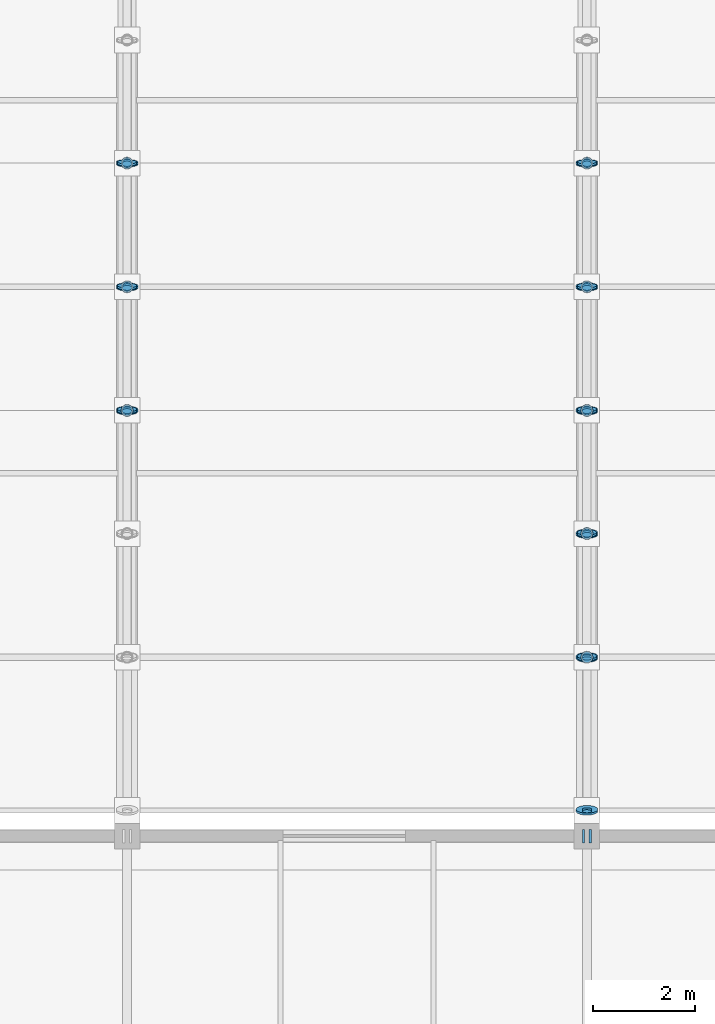
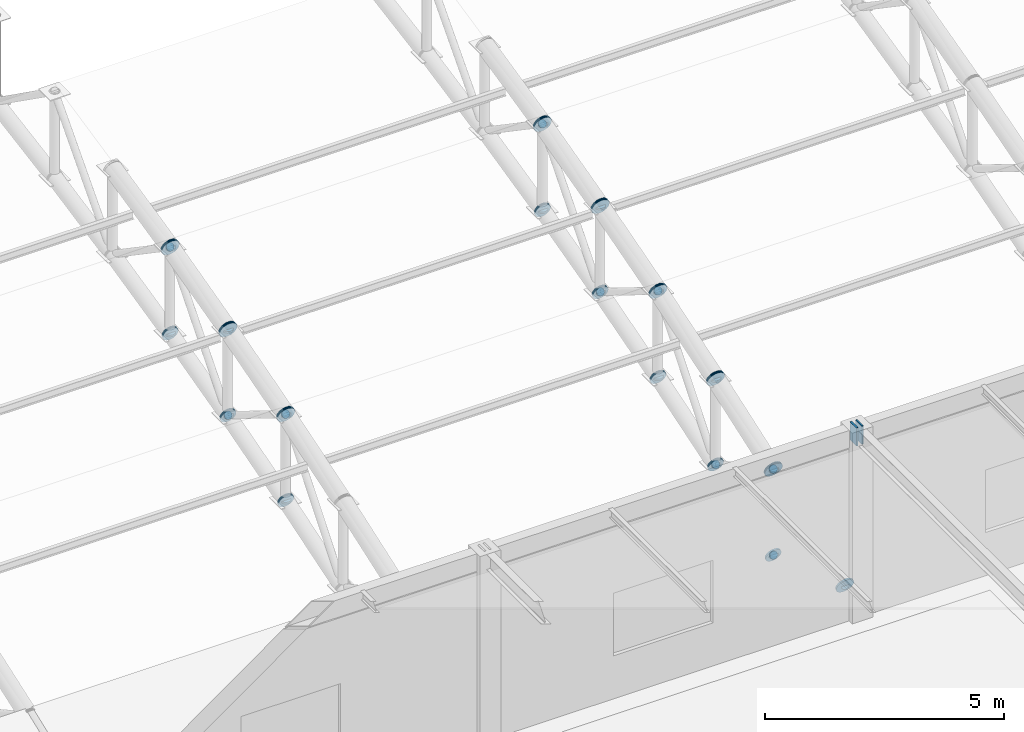
# One storey, part 148 of 195: 67 discrete accessories.
"""IFC4 building model written with IfcOpenShell, lengths in metres."""

from ifc_helpers import new_model, si_unit, direction, frame, origin, origin_2d, place, context, subcontext, project, spatial, rectangle, circle, extrude, material, element, save


model = new_model("IFC4")

# Units and contexts
model_context = context("Model", 3, precision=1e-05, world=origin(), true_north=direction((0.0, 1.0)))
body_context = subcontext(model_context, "Body", "Model", "MODEL_VIEW")
ifc_project = project(units=[si_unit("LENGTHUNIT", "METRE"), si_unit("AREAUNIT", "SQUARE_METRE"), si_unit("VOLUMEUNIT", "CUBIC_METRE"), si_unit("PLANEANGLEUNIT", "RADIAN"), si_unit("MASSUNIT", "GRAM", prefix="KILO")], contexts=[model_context])

# Site, building, storey
site_placement = place(None, origin())
site = spatial("IfcSite", under=ifc_project, at=site_placement, CompositionType="ELEMENT")
building_placement = place(site_placement, origin())
building = spatial("IfcBuilding", under=site, at=building_placement, Name="Marlcrest Central Station", CompositionType="ELEMENT")
storey_placement = place(building_placement, frame((0.0, 0.0, 9.800048828125)))
storey = spatial("IfcBuildingStorey", under=building, at=storey_placement, Name="L02", CompositionType="ELEMENT", Elevation=9.800048828125)

# Discrete accessories
ifc_material = material(Name="Steel S355", Category="steel")
for number, where, z_axis, x_axis, name in (
    (1, (188.9150390625, 33.0, 4.64501953125), (1.0, 0.0, 0.0), (0.0, 1.0, 0.0), "endcap-bm-SP-02-L02-00976-e"),
    (2, (189.045166015625, 33.0, 4.64501953125), (1.0, 0.0, 0.0), (0.0, 1.0, 0.0), "endcap-bm-SP-02-L02-00977-s"),
):
    element("IfcDiscreteAccessory", number, at=place(storey_placement, frame(where, z_axis=z_axis, x_axis=x_axis)), inside=storey, material=ifc_material, Name=name, ObjectType="END_CAP_PLATE", PredefinedType="BRACKET", context=body_context, shape_type="SweptSolid", body=[
        extrude(rectangle(XDim=0.26611328125, YDim=0.466064453125, at=origin_2d()), origin(), (0.0, 0.0, 1.0), 0.0400390625),
    ])
discrete_accessory_1_placement = place(storey_placement, frame((180.0, 41.306396484375, 3.2158203125), z_axis=(0.0, 0.952116828449, 0.305734435391), x_axis=(-1.0, 0.0, 0.0)))
element("IfcDiscreteAccessory", 3, at=discrete_accessory_1_placement, inside=storey, material=ifc_material, Name="endcap-mem-AC-01-L02-01560-e", ObjectType="END_CAP_PLATE", PredefinedType="BRACKET", context=body_context, shape_type="SweptSolid", body=[
    extrude(circle(Radius=0.211181640625, at=origin_2d()), origin(), (0.0, 0.0, 1.0), 0.0400390625),
])
discrete_accessory_2_placement = place(storey_placement, frame((180.0, 41.306396484375, 1.015869140625), z_axis=(0.0, 0.952116828449, 0.305734435391), x_axis=(-1.0, 0.0, 0.0)))
element("IfcDiscreteAccessory", 4, at=discrete_accessory_2_placement, inside=storey, material=ifc_material, Name="endcap-mem-AC-02-L02-01561-e", ObjectType="END_CAP_PLATE", PredefinedType="BRACKET", context=body_context, shape_type="SweptSolid", body=[
    extrude(circle(Radius=0.185791015625, at=origin_2d()), origin(), (0.0, 0.0, 1.0), 0.0400390625),
])
discrete_accessory_3_placement = place(storey_placement, frame((180.0, 41.314453125, 3.203857421875), z_axis=(0.0, 0.62962929743, 0.776895712318), x_axis=(-1.0, 0.0, 0.0)))
element("IfcDiscreteAccessory", 5, at=discrete_accessory_3_placement, inside=storey, material=ifc_material, Name="endcap-mem-AD-01-L02-01563-e", ObjectType="END_CAP_PLATE", PredefinedType="BRACKET", context=body_context, shape_type="SweptSolid", body=[
    extrude(circle(Radius=0.092041015625, at=origin_2d()), origin(), (0.0, 0.0, 1.0), 0.0400390625),
])
for number, where, z_axis, x_axis, name in (
    (6, (180.0, 41.315673828125, 3.21923828125), (0.0, 0.960130083362, 0.27955361386), (-1.0, 0.0, 0.0), "endcap-mem-AC-01-L02-01564-s"),
    (7, (180.0, 43.72607421875, 3.9208984375), (0.0, 0.960130083362, 0.27955361386), (-1.0, 0.0, 0.0), "endcap-mem-AC-01-L02-01564-e"),
):
    element("IfcDiscreteAccessory", number, at=place(storey_placement, frame(where, z_axis=z_axis, x_axis=x_axis)), inside=storey, material=ifc_material, Name=name, ObjectType="END_CAP_PLATE", PredefinedType="BRACKET", context=body_context, shape_type="SweptSolid", body=[
        extrude(circle(Radius=0.211181640625, at=origin_2d()), origin(), (0.0, 0.0, 1.0), 0.0400390625),
    ])
for number, where, z_axis, x_axis, name in (
    (8, (180.0, 41.315673828125, 1.019287109375), (0.0, 0.960130083362, 0.27955361386), (-1.0, 0.0, 0.0), "endcap-mem-AC-02-L02-01565-s"),
    (9, (180.0, 43.72607421875, 1.720947265625), (0.0, 0.960130083362, 0.27955361386), (-1.0, 0.0, 0.0), "endcap-mem-AC-02-L02-01565-e"),
):
    element("IfcDiscreteAccessory", number, at=place(storey_placement, frame(where, z_axis=z_axis, x_axis=x_axis)), inside=storey, material=ifc_material, Name=name, ObjectType="END_CAP_PLATE", PredefinedType="BRACKET", context=body_context, shape_type="SweptSolid", body=[
        extrude(circle(Radius=0.185791015625, at=origin_2d()), origin(), (0.0, 0.0, 1.0), 0.0400390625),
    ])
for number, where, z_axis, x_axis, name in (
    (10, (180.0, 41.330078125, 1.008544921875), (0.0, 0.0, 1.0), (1.0, 0.0, 0.0), "endcap-mem-AP-01-L02-01566-s"),
    (11, (180.0, 41.330078125, 3.198486328125), (0.0, 0.0, 1.0), (1.0, 0.0, 0.0), "endcap-mem-AP-01-L02-01566-e"),
):
    element("IfcDiscreteAccessory", number, at=place(storey_placement, frame(where, z_axis=z_axis, x_axis=x_axis)), inside=storey, material=ifc_material, Name=name, ObjectType="END_CAP_PLATE", PredefinedType="BRACKET", context=body_context, shape_type="SweptSolid", body=[
        extrude(circle(Radius=0.117431640625, at=origin_2d()), origin(), (0.0, 0.0, 1.0), 0.0400390625),
    ])
for number, where, z_axis, x_axis, name in (
    (12, (180.0, 41.3173828125, 3.231201171875), (0.0, 0.850687380038, -0.525671933286), (-1.0, 0.0, 0.0), "endcap-mem-AD-01-L02-01567-s"),
    (13, (180.0, 43.728759765625, 1.7412109375), (0.0, 0.850687380038, -0.525671933286), (-1.0, 0.0, 0.0), "endcap-mem-AD-01-L02-01567-e"),
):
    element("IfcDiscreteAccessory", number, at=place(storey_placement, frame(where, z_axis=z_axis, x_axis=x_axis)), inside=storey, material=ifc_material, Name=name, ObjectType="END_CAP_PLATE", PredefinedType="BRACKET", context=body_context, shape_type="SweptSolid", body=[
        extrude(circle(Radius=0.092041015625, at=origin_2d()), origin(), (0.0, 0.0, 1.0), 0.0400390625),
    ])
for number, where, z_axis, x_axis, name in (
    (14, (180.0, 43.735595703125, 3.924072265625), (0.0, 0.967539481681, 0.252719906989), (-1.0, 0.0, 0.0), "endcap-mem-AC-01-L02-01568-s"),
    (15, (180.0, 46.145751953125, 4.5537109375), (0.0, 0.967539481681, 0.252719906989), (-1.0, 0.0, 0.0), "endcap-mem-AC-01-L02-01568-e"),
):
    element("IfcDiscreteAccessory", number, at=place(storey_placement, frame(where, z_axis=z_axis, x_axis=x_axis)), inside=storey, material=ifc_material, Name=name, ObjectType="END_CAP_PLATE", PredefinedType="BRACKET", context=body_context, shape_type="SweptSolid", body=[
        extrude(circle(Radius=0.211181640625, at=origin_2d()), origin(), (0.0, 0.0, 1.0), 0.0400390625),
    ])
for number, where, z_axis, x_axis, name in (
    (16, (180.0, 43.735595703125, 1.72412109375), (0.0, 0.967563345928, 0.252628524946), (-1.0, 0.0, 0.0), "endcap-mem-AC-02-L02-01569-s"),
    (17, (180.0, 46.145751953125, 2.353515625), (0.0, 0.967563345928, 0.252628524946), (-1.0, 0.0, 0.0), "endcap-mem-AC-02-L02-01569-e"),
):
    element("IfcDiscreteAccessory", number, at=place(storey_placement, frame(where, z_axis=z_axis, x_axis=x_axis)), inside=storey, material=ifc_material, Name=name, ObjectType="END_CAP_PLATE", PredefinedType="BRACKET", context=body_context, shape_type="SweptSolid", body=[
        extrude(circle(Radius=0.185791015625, at=origin_2d()), origin(), (0.0, 0.0, 1.0), 0.0400390625),
    ])
for number, where, z_axis, x_axis, name in (
    (18, (180.0, 43.75, 1.713134765625), (0.0, 0.0, 1.0), (1.0, 0.0, 0.0), "endcap-mem-AP-01-L02-01570-s"),
    (19, (180.0, 43.75, 3.903076171875), (0.0, 0.0, 1.0), (1.0, 0.0, 0.0), "endcap-mem-AP-01-L02-01570-e"),
):
    element("IfcDiscreteAccessory", number, at=place(storey_placement, frame(where, z_axis=z_axis, x_axis=x_axis)), inside=storey, material=ifc_material, Name=name, ObjectType="END_CAP_PLATE", PredefinedType="BRACKET", context=body_context, shape_type="SweptSolid", body=[
        extrude(circle(Radius=0.117431640625, at=origin_2d()), origin(), (0.0, 0.0, 1.0), 0.0400390625),
    ])
for number, where, z_axis, x_axis, name in (
    (20, (180.0, 43.740234375, 1.716552734375), (0.0, 0.649624779144, 0.760254987699), (-1.0, 0.0, 0.0), "endcap-mem-AD-01-L02-01571-s"),
    (21, (180.0, 46.153564453125, 4.541015625), (0.0, 0.649624779144, 0.760254987699), (-1.0, 0.0, 0.0), "endcap-mem-AD-01-L02-01571-e"),
):
    element("IfcDiscreteAccessory", number, at=place(storey_placement, frame(where, z_axis=z_axis, x_axis=x_axis)), inside=storey, material=ifc_material, Name=name, ObjectType="END_CAP_PLATE", PredefinedType="BRACKET", context=body_context, shape_type="SweptSolid", body=[
        extrude(circle(Radius=0.092041015625, at=origin_2d()), origin(), (0.0, 0.0, 1.0), 0.0400390625),
    ])
discrete_accessory_4_placement = place(storey_placement, frame((180.0, 46.1552734375, 4.556640625), z_axis=(0.0, 0.974329612642, 0.225126200004), x_axis=(-1.0, 0.0, 0.0)))
element("IfcDiscreteAccessory", 22, at=discrete_accessory_4_placement, inside=storey, material=ifc_material, Name="endcap-mem-AC-01-L02-01572-s", ObjectType="END_CAP_PLATE", PredefinedType="BRACKET", context=body_context, shape_type="SweptSolid", body=[
    extrude(circle(Radius=0.211181640625, at=origin_2d()), origin(), (0.0, 0.0, 1.0), 0.0400390625),
])
discrete_accessory_5_placement = place(storey_placement, frame((180.0, 46.1552734375, 2.3564453125), z_axis=(0.0, 0.974307959875, 0.225219891049), x_axis=(-1.0, 0.0, 0.0)))
element("IfcDiscreteAccessory", 23, at=discrete_accessory_5_placement, inside=storey, material=ifc_material, Name="endcap-mem-AC-02-L02-01573-s", ObjectType="END_CAP_PLATE", PredefinedType="BRACKET", context=body_context, shape_type="SweptSolid", body=[
    extrude(circle(Radius=0.185791015625, at=origin_2d()), origin(), (0.0, 0.0, 1.0), 0.0400390625),
])
for number, where, z_axis, x_axis, name in (
    (24, (180.0, 46.169921875, 2.344970703125), (0.0, 0.0, 1.0), (1.0, 0.0, 0.0), "endcap-mem-AP-01-L02-01574-s"),
    (25, (180.0, 46.169921875, 4.53515625), (0.0, 0.0, 1.0), (1.0, 0.0, 0.0), "endcap-mem-AP-01-L02-01574-e"),
):
    element("IfcDiscreteAccessory", number, at=place(storey_placement, frame(where, z_axis=z_axis, x_axis=x_axis)), inside=storey, material=ifc_material, Name=name, ObjectType="END_CAP_PLATE", PredefinedType="BRACKET", context=body_context, shape_type="SweptSolid", body=[
        extrude(circle(Radius=0.117431640625, at=origin_2d()), origin(), (0.0, 0.0, 1.0), 0.0400390625),
    ])
discrete_accessory_6_placement = place(storey_placement, frame((180.0, 46.157470703125, 4.568603515625), z_axis=(0.0, 0.82626275624, -0.563284881432), x_axis=(-1.0, 0.0, 0.0)))
element("IfcDiscreteAccessory", 26, at=discrete_accessory_6_placement, inside=storey, material=ifc_material, Name="endcap-mem-AD-01-L02-01575-s", ObjectType="END_CAP_PLATE", PredefinedType="BRACKET", context=body_context, shape_type="SweptSolid", body=[
    extrude(circle(Radius=0.092041015625, at=origin_2d()), origin(), (0.0, 0.0, 1.0), 0.0400390625),
])
for number, where, z_axis, x_axis, name in (
    (27, (189.0, 33.486083984375, 0.4404296875), (0.0, 0.933324071143, 0.359035065453), (-1.0, 0.0, 0.0), "endcap-mem-AC-01-L02-01670-s"),
    (28, (189.0, 36.4765625, 1.5908203125), (0.0, 0.933324071143, 0.359035065453), (-1.0, 0.0, 0.0), "endcap-mem-AC-01-L02-01670-e"),
):
    element("IfcDiscreteAccessory", number, at=place(storey_placement, frame(where, z_axis=z_axis, x_axis=x_axis)), inside=storey, material=ifc_material, Name=name, ObjectType="END_CAP_PLATE", PredefinedType="BRACKET", context=body_context, shape_type="SweptSolid", body=[
        extrude(circle(Radius=0.211181640625, at=origin_2d()), origin(), (0.0, 0.0, 1.0), 0.0400390625),
    ])
for number, where, z_axis, x_axis, name in (
    (29, (189.0, 36.51416015625, -0.60498046875), (0.0, -0.944260188635, 0.329200085296), (1.0, 0.0, 0.0), "endcap-mem-AD-01-L02-01671-s"),
    (30, (189.0, 33.523681640625, 0.4375), (0.0, -0.944260188635, 0.329200085296), (1.0, 0.0, 0.0), "endcap-mem-AD-01-L02-01671-e"),
):
    element("IfcDiscreteAccessory", number, at=place(storey_placement, frame(where, z_axis=z_axis, x_axis=x_axis)), inside=storey, material=ifc_material, Name=name, ObjectType="END_CAP_PLATE", PredefinedType="BRACKET", context=body_context, shape_type="SweptSolid", body=[
        extrude(circle(Radius=0.092041015625, at=origin_2d()), origin(), (0.0, 0.0, 1.0), 0.0400390625),
    ])
for number, where, z_axis, x_axis, name in (
    (31, (189.0, 36.48583984375, 1.594970703125), (0.0, 0.94353735649, 0.331266142109), (-1.0, 0.0, 0.0), "endcap-mem-AC-01-L02-01672-s"),
    (32, (189.0, 38.896240234375, 2.441162109375), (0.0, 0.94353735649, 0.331266142109), (-1.0, 0.0, 0.0), "endcap-mem-AC-01-L02-01672-e"),
):
    element("IfcDiscreteAccessory", number, at=place(storey_placement, frame(where, z_axis=z_axis, x_axis=x_axis)), inside=storey, material=ifc_material, Name=name, ObjectType="END_CAP_PLATE", PredefinedType="BRACKET", context=body_context, shape_type="SweptSolid", body=[
        extrude(circle(Radius=0.211181640625, at=origin_2d()), origin(), (0.0, 0.0, 1.0), 0.0400390625),
    ])
for number, where, z_axis, x_axis, name in (
    (33, (189.0, 36.48583984375, -0.60498046875), (0.0, 0.94353735649, 0.331266142109), (-1.0, 0.0, 0.0), "endcap-mem-AC-02-L02-01673-s"),
    (34, (189.0, 38.896240234375, 0.2412109375), (0.0, 0.94353735649, 0.331266142109), (-1.0, 0.0, 0.0), "endcap-mem-AC-02-L02-01673-e"),
):
    element("IfcDiscreteAccessory", number, at=place(storey_placement, frame(where, z_axis=z_axis, x_axis=x_axis)), inside=storey, material=ifc_material, Name=name, ObjectType="END_CAP_PLATE", PredefinedType="BRACKET", context=body_context, shape_type="SweptSolid", body=[
        extrude(circle(Radius=0.185791015625, at=origin_2d()), origin(), (0.0, 0.0, 1.0), 0.0400390625),
    ])
for number, where, z_axis, x_axis, name in (
    (35, (189.0, 36.5, -0.614990234375), (0.0, 0.0, 1.0), (1.0, 0.0, 0.0), "endcap-mem-AP-01-L02-01674-s"),
    (36, (189.0, 36.5, 1.574951171875), (0.0, 0.0, 1.0), (1.0, 0.0, 0.0), "endcap-mem-AP-01-L02-01674-e"),
):
    element("IfcDiscreteAccessory", number, at=place(storey_placement, frame(where, z_axis=z_axis, x_axis=x_axis)), inside=storey, material=ifc_material, Name=name, ObjectType="END_CAP_PLATE", PredefinedType="BRACKET", context=body_context, shape_type="SweptSolid", body=[
        extrude(circle(Radius=0.117431640625, at=origin_2d()), origin(), (0.0, 0.0, 1.0), 0.0400390625),
    ])
for number, where, z_axis, x_axis, name in (
    (37, (189.0, 36.48681640625, 1.607177734375), (0.0, 0.873245653167, -0.487280236851), (-1.0, 0.0, 0.0), "endcap-mem-AD-01-L02-01675-s"),
    (38, (189.0, 38.898193359375, 0.26171875), (0.0, 0.873245653167, -0.487280236851), (-1.0, 0.0, 0.0), "endcap-mem-AD-01-L02-01675-e"),
):
    element("IfcDiscreteAccessory", number, at=place(storey_placement, frame(where, z_axis=z_axis, x_axis=x_axis)), inside=storey, material=ifc_material, Name=name, ObjectType="END_CAP_PLATE", PredefinedType="BRACKET", context=body_context, shape_type="SweptSolid", body=[
        extrude(circle(Radius=0.092041015625, at=origin_2d()), origin(), (0.0, 0.0, 1.0), 0.0400390625),
    ])
for number, where, z_axis, x_axis, name in (
    (39, (189.0, 38.90576171875, 2.44482421875), (0.0, 0.952116828449, 0.305734435391), (-1.0, 0.0, 0.0), "endcap-mem-AC-01-L02-01676-s"),
    (40, (189.0, 41.306396484375, 3.2158203125), (0.0, 0.952116828449, 0.305734435391), (-1.0, 0.0, 0.0), "endcap-mem-AC-01-L02-01676-e"),
):
    element("IfcDiscreteAccessory", number, at=place(storey_placement, frame(where, z_axis=z_axis, x_axis=x_axis)), inside=storey, material=ifc_material, Name=name, ObjectType="END_CAP_PLATE", PredefinedType="BRACKET", context=body_context, shape_type="SweptSolid", body=[
        extrude(circle(Radius=0.211181640625, at=origin_2d()), origin(), (0.0, 0.0, 1.0), 0.0400390625),
    ])
for number, where, z_axis, x_axis, name in (
    (41, (189.0, 38.90576171875, 0.244873046875), (0.0, 0.952116828449, 0.305734435391), (-1.0, 0.0, 0.0), "endcap-mem-AC-02-L02-01677-s"),
    (42, (189.0, 41.306396484375, 1.015869140625), (0.0, 0.952116828449, 0.305734435391), (-1.0, 0.0, 0.0), "endcap-mem-AC-02-L02-01677-e"),
):
    element("IfcDiscreteAccessory", number, at=place(storey_placement, frame(where, z_axis=z_axis, x_axis=x_axis)), inside=storey, material=ifc_material, Name=name, ObjectType="END_CAP_PLATE", PredefinedType="BRACKET", context=body_context, shape_type="SweptSolid", body=[
        extrude(circle(Radius=0.185791015625, at=origin_2d()), origin(), (0.0, 0.0, 1.0), 0.0400390625),
    ])
for number, where, z_axis, x_axis, name in (
    (43, (189.0, 38.919921875, 0.234619140625), (0.0, 0.0, 1.0), (1.0, 0.0, 0.0), "endcap-mem-AP-01-L02-01678-s"),
    (44, (189.0, 38.919921875, 2.424560546875), (0.0, 0.0, 1.0), (1.0, 0.0, 0.0), "endcap-mem-AP-01-L02-01678-e"),
):
    element("IfcDiscreteAccessory", number, at=place(storey_placement, frame(where, z_axis=z_axis, x_axis=x_axis)), inside=storey, material=ifc_material, Name=name, ObjectType="END_CAP_PLATE", PredefinedType="BRACKET", context=body_context, shape_type="SweptSolid", body=[
        extrude(circle(Radius=0.117431640625, at=origin_2d()), origin(), (0.0, 0.0, 1.0), 0.0400390625),
    ])
for number, where, z_axis, x_axis, name in (
    (45, (189.0, 38.910400390625, 0.23779296875), (0.0, 0.62962929743, 0.776895712318), (-1.0, 0.0, 0.0), "endcap-mem-AD-01-L02-01679-s"),
    (46, (189.0, 41.314453125, 3.203857421875), (0.0, 0.62962929743, 0.776895712318), (-1.0, 0.0, 0.0), "endcap-mem-AD-01-L02-01679-e"),
):
    element("IfcDiscreteAccessory", number, at=place(storey_placement, frame(where, z_axis=z_axis, x_axis=x_axis)), inside=storey, material=ifc_material, Name=name, ObjectType="END_CAP_PLATE", PredefinedType="BRACKET", context=body_context, shape_type="SweptSolid", body=[
        extrude(circle(Radius=0.092041015625, at=origin_2d()), origin(), (0.0, 0.0, 1.0), 0.0400390625),
    ])
for number, where, z_axis, x_axis, name in (
    (47, (189.0, 41.315673828125, 3.21923828125), (0.0, 0.960130083362, 0.27955361386), (-1.0, 0.0, 0.0), "endcap-mem-AC-01-L02-01680-s"),
    (48, (189.0, 43.72607421875, 3.9208984375), (0.0, 0.960130083362, 0.27955361386), (-1.0, 0.0, 0.0), "endcap-mem-AC-01-L02-01680-e"),
):
    element("IfcDiscreteAccessory", number, at=place(storey_placement, frame(where, z_axis=z_axis, x_axis=x_axis)), inside=storey, material=ifc_material, Name=name, ObjectType="END_CAP_PLATE", PredefinedType="BRACKET", context=body_context, shape_type="SweptSolid", body=[
        extrude(circle(Radius=0.211181640625, at=origin_2d()), origin(), (0.0, 0.0, 1.0), 0.0400390625),
    ])
for number, where, z_axis, x_axis, name in (
    (49, (189.0, 41.315673828125, 1.019287109375), (0.0, 0.960130083362, 0.27955361386), (-1.0, 0.0, 0.0), "endcap-mem-AC-02-L02-01681-s"),
    (50, (189.0, 43.72607421875, 1.720947265625), (0.0, 0.960130083362, 0.27955361386), (-1.0, 0.0, 0.0), "endcap-mem-AC-02-L02-01681-e"),
):
    element("IfcDiscreteAccessory", number, at=place(storey_placement, frame(where, z_axis=z_axis, x_axis=x_axis)), inside=storey, material=ifc_material, Name=name, ObjectType="END_CAP_PLATE", PredefinedType="BRACKET", context=body_context, shape_type="SweptSolid", body=[
        extrude(circle(Radius=0.185791015625, at=origin_2d()), origin(), (0.0, 0.0, 1.0), 0.0400390625),
    ])
for number, where, z_axis, x_axis, name in (
    (51, (189.0, 41.330078125, 1.008544921875), (0.0, 0.0, 1.0), (1.0, 0.0, 0.0), "endcap-mem-AP-01-L02-01682-s"),
    (52, (189.0, 41.330078125, 3.198486328125), (0.0, 0.0, 1.0), (1.0, 0.0, 0.0), "endcap-mem-AP-01-L02-01682-e"),
):
    element("IfcDiscreteAccessory", number, at=place(storey_placement, frame(where, z_axis=z_axis, x_axis=x_axis)), inside=storey, material=ifc_material, Name=name, ObjectType="END_CAP_PLATE", PredefinedType="BRACKET", context=body_context, shape_type="SweptSolid", body=[
        extrude(circle(Radius=0.117431640625, at=origin_2d()), origin(), (0.0, 0.0, 1.0), 0.0400390625),
    ])
for number, where, z_axis, x_axis, name in (
    (53, (189.0, 41.3173828125, 3.231201171875), (0.0, 0.850687380038, -0.525671933286), (-1.0, 0.0, 0.0), "endcap-mem-AD-01-L02-01683-s"),
    (54, (189.0, 43.728759765625, 1.7412109375), (0.0, 0.850687380038, -0.525671933286), (-1.0, 0.0, 0.0), "endcap-mem-AD-01-L02-01683-e"),
):
    element("IfcDiscreteAccessory", number, at=place(storey_placement, frame(where, z_axis=z_axis, x_axis=x_axis)), inside=storey, material=ifc_material, Name=name, ObjectType="END_CAP_PLATE", PredefinedType="BRACKET", context=body_context, shape_type="SweptSolid", body=[
        extrude(circle(Radius=0.092041015625, at=origin_2d()), origin(), (0.0, 0.0, 1.0), 0.0400390625),
    ])
for number, where, z_axis, x_axis, name in (
    (55, (189.0, 43.735595703125, 3.924072265625), (0.0, 0.967539481681, 0.252719906989), (-1.0, 0.0, 0.0), "endcap-mem-AC-01-L02-01684-s"),
    (56, (189.0, 46.145751953125, 4.5537109375), (0.0, 0.967539481681, 0.252719906989), (-1.0, 0.0, 0.0), "endcap-mem-AC-01-L02-01684-e"),
):
    element("IfcDiscreteAccessory", number, at=place(storey_placement, frame(where, z_axis=z_axis, x_axis=x_axis)), inside=storey, material=ifc_material, Name=name, ObjectType="END_CAP_PLATE", PredefinedType="BRACKET", context=body_context, shape_type="SweptSolid", body=[
        extrude(circle(Radius=0.211181640625, at=origin_2d()), origin(), (0.0, 0.0, 1.0), 0.0400390625),
    ])
for number, where, z_axis, x_axis, name in (
    (57, (189.0, 43.735595703125, 1.72412109375), (0.0, 0.967563345928, 0.252628524946), (-1.0, 0.0, 0.0), "endcap-mem-AC-02-L02-01685-s"),
    (58, (189.0, 46.145751953125, 2.353515625), (0.0, 0.967563345928, 0.252628524946), (-1.0, 0.0, 0.0), "endcap-mem-AC-02-L02-01685-e"),
):
    element("IfcDiscreteAccessory", number, at=place(storey_placement, frame(where, z_axis=z_axis, x_axis=x_axis)), inside=storey, material=ifc_material, Name=name, ObjectType="END_CAP_PLATE", PredefinedType="BRACKET", context=body_context, shape_type="SweptSolid", body=[
        extrude(circle(Radius=0.185791015625, at=origin_2d()), origin(), (0.0, 0.0, 1.0), 0.0400390625),
    ])
for number, where, z_axis, x_axis, name in (
    (59, (189.0, 43.75, 1.713134765625), (0.0, 0.0, 1.0), (1.0, 0.0, 0.0), "endcap-mem-AP-01-L02-01686-s"),
    (60, (189.0, 43.75, 3.903076171875), (0.0, 0.0, 1.0), (1.0, 0.0, 0.0), "endcap-mem-AP-01-L02-01686-e"),
):
    element("IfcDiscreteAccessory", number, at=place(storey_placement, frame(where, z_axis=z_axis, x_axis=x_axis)), inside=storey, material=ifc_material, Name=name, ObjectType="END_CAP_PLATE", PredefinedType="BRACKET", context=body_context, shape_type="SweptSolid", body=[
        extrude(circle(Radius=0.117431640625, at=origin_2d()), origin(), (0.0, 0.0, 1.0), 0.0400390625),
    ])
for number, where, z_axis, x_axis, name in (
    (61, (189.0, 43.740234375, 1.716552734375), (0.0, 0.649624779144, 0.760254987699), (-1.0, 0.0, 0.0), "endcap-mem-AD-01-L02-01687-s"),
    (62, (189.0, 46.153564453125, 4.541015625), (0.0, 0.649624779144, 0.760254987699), (-1.0, 0.0, 0.0), "endcap-mem-AD-01-L02-01687-e"),
):
    element("IfcDiscreteAccessory", number, at=place(storey_placement, frame(where, z_axis=z_axis, x_axis=x_axis)), inside=storey, material=ifc_material, Name=name, ObjectType="END_CAP_PLATE", PredefinedType="BRACKET", context=body_context, shape_type="SweptSolid", body=[
        extrude(circle(Radius=0.092041015625, at=origin_2d()), origin(), (0.0, 0.0, 1.0), 0.0400390625),
    ])
discrete_accessory_7_placement = place(storey_placement, frame((189.0, 46.1552734375, 4.556640625), z_axis=(0.0, 0.974329612642, 0.225126200004), x_axis=(-1.0, 0.0, 0.0)))
element("IfcDiscreteAccessory", 63, at=discrete_accessory_7_placement, inside=storey, material=ifc_material, Name="endcap-mem-AC-01-L02-01688-s", ObjectType="END_CAP_PLATE", PredefinedType="BRACKET", context=body_context, shape_type="SweptSolid", body=[
    extrude(circle(Radius=0.211181640625, at=origin_2d()), origin(), (0.0, 0.0, 1.0), 0.0400390625),
])
discrete_accessory_8_placement = place(storey_placement, frame((189.0, 46.1552734375, 2.3564453125), z_axis=(0.0, 0.974307959875, 0.225219891049), x_axis=(-1.0, 0.0, 0.0)))
element("IfcDiscreteAccessory", 64, at=discrete_accessory_8_placement, inside=storey, material=ifc_material, Name="endcap-mem-AC-02-L02-01689-s", ObjectType="END_CAP_PLATE", PredefinedType="BRACKET", context=body_context, shape_type="SweptSolid", body=[
    extrude(circle(Radius=0.185791015625, at=origin_2d()), origin(), (0.0, 0.0, 1.0), 0.0400390625),
])
for number, where, z_axis, x_axis, name in (
    (65, (189.0, 46.169921875, 2.344970703125), (0.0, 0.0, 1.0), (1.0, 0.0, 0.0), "endcap-mem-AP-01-L02-01690-s"),
    (66, (189.0, 46.169921875, 4.53515625), (0.0, 0.0, 1.0), (1.0, 0.0, 0.0), "endcap-mem-AP-01-L02-01690-e"),
):
    element("IfcDiscreteAccessory", number, at=place(storey_placement, frame(where, z_axis=z_axis, x_axis=x_axis)), inside=storey, material=ifc_material, Name=name, ObjectType="END_CAP_PLATE", PredefinedType="BRACKET", context=body_context, shape_type="SweptSolid", body=[
        extrude(circle(Radius=0.117431640625, at=origin_2d()), origin(), (0.0, 0.0, 1.0), 0.0400390625),
    ])
discrete_accessory_9_placement = place(storey_placement, frame((189.0, 46.157470703125, 4.568603515625), z_axis=(0.0, 0.82626275624, -0.563284881432), x_axis=(-1.0, 0.0, 0.0)))
element("IfcDiscreteAccessory", 67, at=discrete_accessory_9_placement, inside=storey, material=ifc_material, Name="endcap-mem-AD-01-L02-01691-s", ObjectType="END_CAP_PLATE", PredefinedType="BRACKET", context=body_context, shape_type="SweptSolid", body=[
    extrude(circle(Radius=0.092041015625, at=origin_2d()), origin(), (0.0, 0.0, 1.0), 0.0400390625),
])

save(model, "model.ifc")
